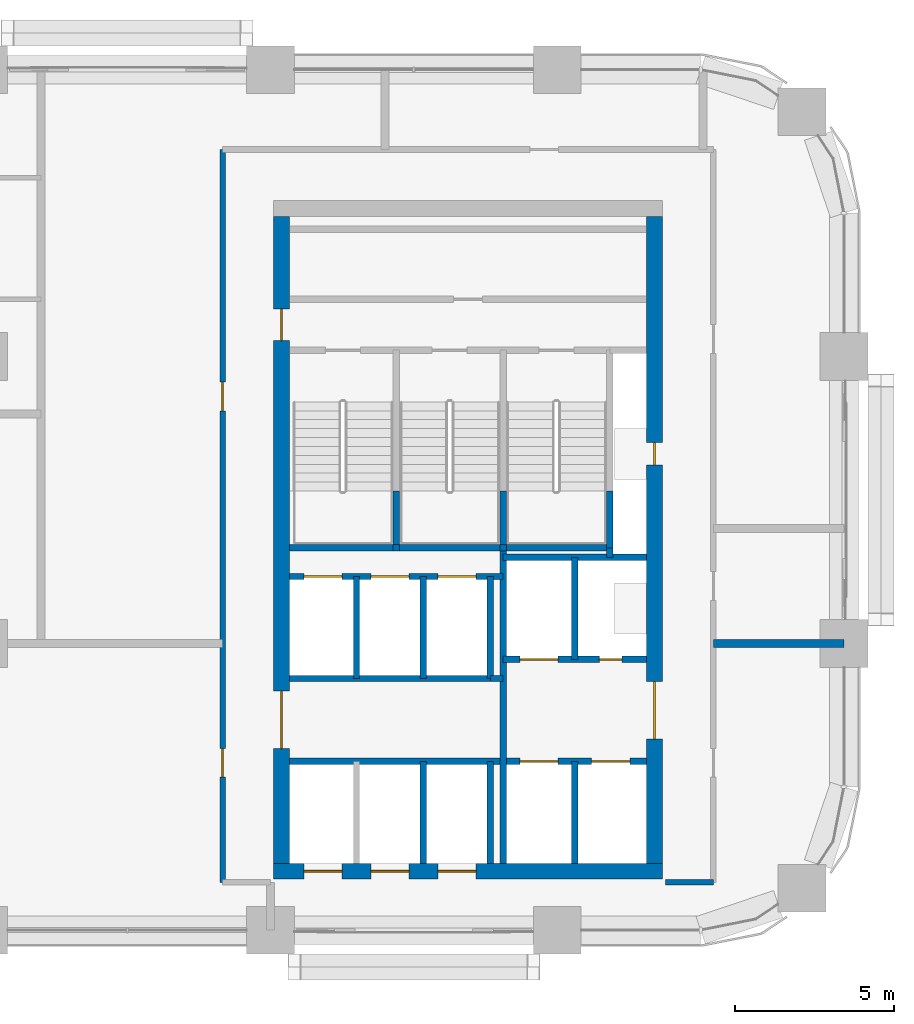
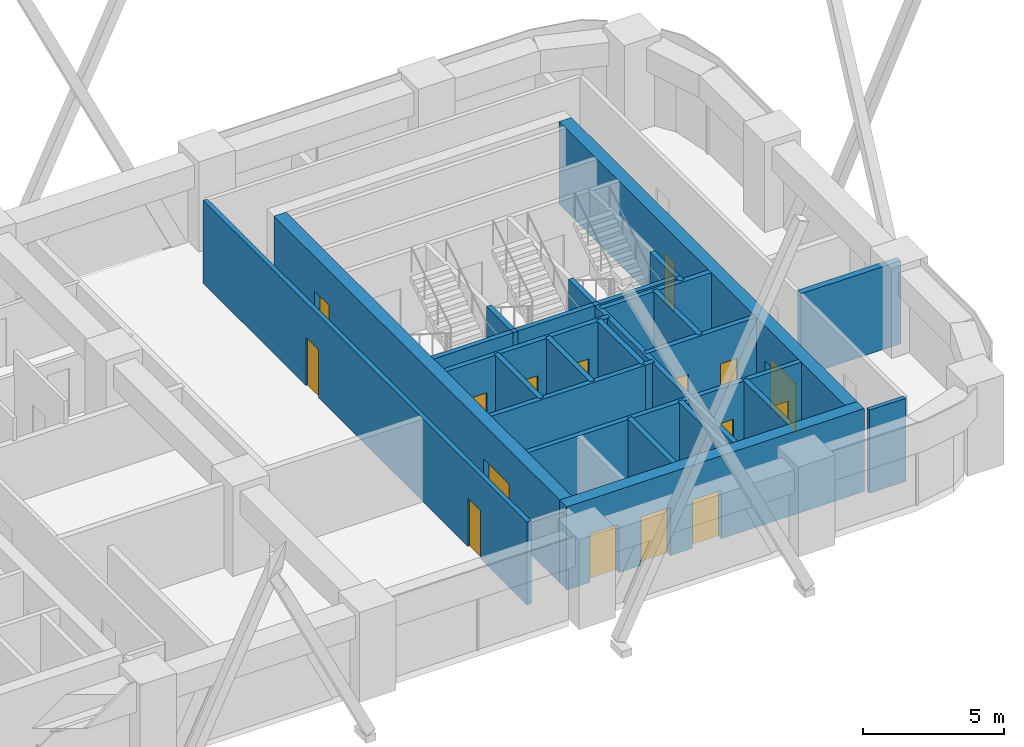
# One storey, part 10 of 13: 29 walls, 16 doors, 16 openings.
"""IFC4 building model written with IfcOpenShell, lengths in metres."""

from ifc_helpers import new_model, si_unit, direction, frame, frame_2d, origin, place, context, subcontext, project, spatial, rectangle, extrude, material, layer, layer_set, type_object, element, fill, save


model = new_model("IFC4")

# Units and contexts
model_context = context("Model", 3, precision=1e-05, world=origin(), true_north=direction((0.0, 1.0)))
body_context = subcontext(model_context, "Body", "Model", "MODEL_VIEW")
ifc_project = project(units=[si_unit("LENGTHUNIT", "METRE"), si_unit("AREAUNIT", "SQUARE_METRE"), si_unit("VOLUMEUNIT", "CUBIC_METRE"), si_unit("PLANEANGLEUNIT", "RADIAN"), si_unit("MASSUNIT", "GRAM", prefix="KILO")], contexts=[model_context])

# Site, building, storey
site_placement = place(None, origin())
site = spatial("IfcSite", under=ifc_project, at=site_placement, CompositionType="ELEMENT")
building_placement = place(site_placement, origin())
building = spatial("IfcBuilding", under=site, at=building_placement, Name="Tessera Arch", CompositionType="ELEMENT")
storey_placement = place(building_placement, frame((0.0, 0.0, 166.10009765625)))
storey = spatial("IfcBuildingStorey", under=building, at=storey_placement, Name="L39", CompositionType="ELEMENT", Elevation=166.10009765625)

# Wall
ifc_material_1 = material(Name="Gypsum board on steel stud", Category="steel")
ifc_layer_1 = layer(ifc_material_1, 0.125)
ifc_layer_set_1 = layer_set([ifc_layer_1], Name="Core partition 125 EI 60")
wall_type_1 = type_object("IfcWallType", Name="Core partition 125 EI 60", PredefinedType="PARTITIONING", material=ifc_layer_set_1)
wall_1_placement = place(storey_placement, frame((42.89990234375, 34.89990234375, 0.0), z_axis=(0.0, 0.0, 1.0), x_axis=(1.0, 0.0, 0.0)))
element("IfcWall", 1, at=wall_1_placement, inside=storey, type_object=wall_type_1, Name="L39 C1 partition wall 18", PredefinedType="PARTITIONING", context=body_context, shape_type="SweptSolid", body=[
    extrude(rectangle(XDim=0.400146484375, YDim=0.199951171875, at=frame_2d((0.2001953125, 0.0))), origin(), (0.0, 0.0, 1.0), 3.599853515625),
])

# Wall, openings, doors
ifc_material_2 = material(Name="Concrete C60/75", Category="concrete")
ifc_layer_2 = layer(ifc_material_2, 0.5)
ifc_layer_set_2 = layer_set([ifc_layer_2], Name="Core shell wall 500 C60-75")
wall_type_2 = type_object("IfcWallType", Name="Core shell wall 500 C60-75", PredefinedType="SHEAR", material=ifc_layer_set_2)
wall_2_placement = place(storey_placement, frame((36.10009765625, 28.85009765625, 0.0), z_axis=(0.0, 0.0, 1.0), x_axis=(1.0, 0.0, 0.0)))
wall_2 = element("IfcWall", 2, at=wall_2_placement, inside=storey, type_object=wall_type_2, Name="L39 C1 core wall S", PredefinedType="SHEAR", context=body_context, shape_type="SweptSolid", body=[
    extrude(rectangle(XDim=12.199951171875, YDim=0.5, at=frame_2d((6.10009765625, 0.0))), origin(), (0.0, 0.0, 1.0), 3.599853515625),
])
opening_1_placement = place(wall_2_placement, frame((0.949951171875, 0.0, 0.0)))
opening_1 = element("IfcOpeningElement", 3, at=opening_1_placement, cuts=wall_2, Name="Opening L39-C01", PredefinedType="OPENING", context=body_context, shape_type="SweptSolid", body=[
    extrude(rectangle(XDim=1.199951171875, YDim=2.10009765625, at=frame_2d((0.60009765625, 1.050048828125))), frame((0.0, 0.260009765625, 0.0), z_axis=(0.0, -1.0, 0.0), x_axis=(1.0, 0.0, 0.0)), (0.0, 0.0, 1.0), 0.52001953125),
])
opening_2_placement = place(wall_2_placement, frame((3.050048828125, 0.0, 0.0)))
opening_2 = element("IfcOpeningElement", 4, at=opening_2_placement, cuts=wall_2, Name="Opening L39-C03", PredefinedType="OPENING", context=body_context, shape_type="SweptSolid", body=[
    extrude(rectangle(XDim=1.199951171875, YDim=2.10009765625, at=frame_2d((0.60009765625, 1.050048828125))), frame((0.0, 0.260009765625, 0.0), z_axis=(0.0, -1.0, 0.0), x_axis=(1.0, 0.0, 0.0)), (0.0, 0.0, 1.0), 0.52001953125),
])
opening_3_placement = place(wall_2_placement, frame((5.14990234375, 0.0, 0.0)))
opening_3 = element("IfcOpeningElement", 5, at=opening_3_placement, cuts=wall_2, Name="Opening L39-C05", PredefinedType="OPENING", context=body_context, shape_type="SweptSolid", body=[
    extrude(rectangle(XDim=1.199951171875, YDim=2.10009765625, at=frame_2d((0.60009765625, 1.050048828125))), frame((0.0, 0.260009765625, 0.0), z_axis=(0.0, -1.0, 0.0), x_axis=(1.0, 0.0, 0.0)), (0.0, 0.0, 1.0), 0.52001953125),
])
ifc_material_3 = material(Name="Stainless steel AISI 304", Category="steel")
door_type_1 = type_object("IfcDoorType", Name="Sliding landing door 1200 x 2100", OperationType="SLIDING_TO_LEFT", PredefinedType="DOOR", material=ifc_material_3)
door_1_placement = place(opening_1_placement, origin())
door_1 = element("IfcDoor", 6, at=door_1_placement, inside=storey, type_object=door_type_1, Name="L39 HR1 lift landing door C01 type LD", OperationType="SLIDING_TO_LEFT", OverallHeight=2.10009765625, OverallWidth=1.199951171875, PredefinedType="DOOR", context=body_context, shape_type="SweptSolid", body=[
    extrude(rectangle(XDim=1.199951171875, YDim=2.10009765625, at=frame_2d((0.60009765625, 1.050048828125))), frame((0.0, 0.02490234375, 0.0), z_axis=(0.0, -1.0, 0.0), x_axis=(1.0, 0.0, 0.0)), (0.0, 0.0, 1.0), 0.050048828125),
])
fill(opening_1, door_1)
door_2_placement = place(opening_2_placement, origin())
door_2 = element("IfcDoor", 7, at=door_2_placement, inside=storey, type_object=door_type_1, Name="L39 HR2 lift landing door C03 type LD", OperationType="SLIDING_TO_LEFT", OverallHeight=2.10009765625, OverallWidth=1.199951171875, PredefinedType="DOOR", context=body_context, shape_type="SweptSolid", body=[
    extrude(rectangle(XDim=1.199951171875, YDim=2.10009765625, at=frame_2d((0.60009765625, 1.050048828125))), frame((0.0, 0.02490234375, 0.0), z_axis=(0.0, -1.0, 0.0), x_axis=(1.0, 0.0, 0.0)), (0.0, 0.0, 1.0), 0.050048828125),
])
fill(opening_2, door_2)
door_3_placement = place(opening_3_placement, origin())
door_3 = element("IfcDoor", 8, at=door_3_placement, inside=storey, type_object=door_type_1, Name="L39 HR3 lift landing door C05 type LD", OperationType="SLIDING_TO_LEFT", OverallHeight=2.10009765625, OverallWidth=1.199951171875, PredefinedType="DOOR", context=body_context, shape_type="SweptSolid", body=[
    extrude(rectangle(XDim=1.199951171875, YDim=2.10009765625, at=frame_2d((0.60009765625, 1.050048828125))), frame((0.0, 0.02490234375, 0.0), z_axis=(0.0, -1.0, 0.0), x_axis=(1.0, 0.0, 0.0)), (0.0, 0.0, 1.0), 0.050048828125),
])
fill(opening_3, door_3)

wall_3_placement = place(storey_placement, frame((36.35009765625, 29.10009765625, 0.0), z_axis=(0.0, 0.0, 1.0), x_axis=(0.0, 1.0, 0.0)))
wall_3 = element("IfcWall", 9, at=wall_3_placement, inside=storey, type_object=wall_type_2, Name="L39 C1 core wall W", PredefinedType="SHEAR", context=body_context, shape_type="SweptSolid", body=[
    extrude(rectangle(XDim=20.2998046875, YDim=0.5, at=frame_2d((10.14990234375, 0.0))), origin(), (0.0, 0.0, 1.0), 3.599853515625),
])
opening_4_placement = place(wall_3_placement, frame((3.60009765625, 0.0, 0.0)))
opening_4 = element("IfcOpeningElement", 10, at=opening_4_placement, cuts=wall_3, Name="Opening L39-C10", PredefinedType="OPENING", context=body_context, shape_type="SweptSolid", body=[
    extrude(rectangle(XDim=1.800048828125, YDim=2.10009765625, at=frame_2d((0.89990234375, 1.050048828125))), frame((0.0, 0.260009765625, 0.0), z_axis=(0.0, -1.0, 0.0), x_axis=(1.0, 0.0, 0.0)), (0.0, 0.0, 1.0), 0.52001953125),
])
opening_5_placement = place(wall_3_placement, frame((16.39990234375, 0.0, 0.0)))
opening_5 = element("IfcOpeningElement", 11, at=opening_5_placement, cuts=wall_3, Name="Opening L39-C17", PredefinedType="OPENING", context=body_context, shape_type="SweptSolid", body=[
    extrude(rectangle(XDim=1.0, YDim=2.10009765625, at=frame_2d((0.5, 1.050048828125))), frame((0.0, 0.260009765625, 0.0), z_axis=(0.0, -1.0, 0.0), x_axis=(1.0, 0.0, 0.0)), (0.0, 0.0, 1.0), 0.52001953125),
])
ifc_material_4 = material(Name="Steel door leaf", Category="steel")
door_type_2 = type_object("IfcDoorType", Name="Corridor door FD60 1000 x 2100", OperationType="SINGLE_SWING_LEFT", PredefinedType="DOOR", material=ifc_material_4)
door_4_placement = place(opening_5_placement, origin())
door_4 = element("IfcDoor", 12, at=door_4_placement, inside=storey, type_object=door_type_2, Name="L39 C1 door 17 C17 type D12", OperationType="SINGLE_SWING_RIGHT", OverallHeight=2.10009765625, OverallWidth=1.0, PredefinedType="DOOR", context=body_context, shape_type="SweptSolid", body=[
    extrude(rectangle(XDim=1.0, YDim=2.10009765625, at=frame_2d((0.5, 1.050048828125))), frame((0.0, 0.02490234375, 0.0), z_axis=(0.0, -1.0, 0.0), x_axis=(1.0, 0.0, 0.0)), (0.0, 0.0, 1.0), 0.050048828125),
])
fill(opening_5, door_4)
ifc_material_5 = material(Name="Glazed steel door leaf", Category="steel")
door_type_3 = type_object("IfcDoorType", Name="Lobby double door FD30S 1800 x 2100", OperationType="DOUBLE_DOOR_SINGLE_SWING", PredefinedType="DOOR", material=ifc_material_5)
door_5_placement = place(opening_4_placement, origin())
door_5 = element("IfcDoor", 13, at=door_5_placement, inside=storey, type_object=door_type_3, Name="L39 C1 door 10 C10 type D06", OperationType="DOUBLE_DOOR_SINGLE_SWING", OverallHeight=2.10009765625, OverallWidth=1.800048828125, PredefinedType="DOOR", context=body_context, shape_type="SweptSolid", body=[
    extrude(rectangle(XDim=1.800048828125, YDim=2.10009765625, at=frame_2d((0.89990234375, 1.050048828125))), frame((0.0, 0.02490234375, 0.0), z_axis=(0.0, -1.0, 0.0), x_axis=(1.0, 0.0, 0.0)), (0.0, 0.0, 1.0), 0.050048828125),
])
fill(opening_4, door_5)

wall_4_placement = place(storey_placement, frame((48.050048828125, 29.10009765625, 0.0), z_axis=(0.0, 0.0, 1.0), x_axis=(0.0, 1.0, 0.0)))
wall_4 = element("IfcWall", 14, at=wall_4_placement, inside=storey, type_object=wall_type_2, Name="L39 C1 core wall E", PredefinedType="SHEAR", context=body_context, shape_type="SweptSolid", body=[
    extrude(rectangle(XDim=20.2998046875, YDim=0.5, at=frame_2d((10.14990234375, 0.0))), origin(), (0.0, 0.0, 1.0), 3.599853515625),
])
opening_6_placement = place(wall_4_placement, frame((12.5, 0.0, 0.0)))
opening_6 = element("IfcOpeningElement", 15, at=opening_6_placement, cuts=wall_4, Name="Opening L39-C14", PredefinedType="OPENING", context=body_context, shape_type="SweptSolid", body=[
    extrude(rectangle(XDim=0.699951171875, YDim=2.10009765625, at=frame_2d((0.35009765625, 1.050048828125))), frame((0.0, 0.260009765625, 0.0), z_axis=(0.0, -1.0, 0.0), x_axis=(1.0, 0.0, 0.0)), (0.0, 0.0, 1.0), 0.52001953125),
])
opening_7_placement = place(wall_4_placement, frame((3.89990234375, 0.0, 0.0)))
opening_7 = element("IfcOpeningElement", 16, at=opening_7_placement, cuts=wall_4, Name="Opening L39-C15", PredefinedType="OPENING", context=body_context, shape_type="SweptSolid", body=[
    extrude(rectangle(XDim=1.800048828125, YDim=2.10009765625, at=frame_2d((0.89990234375, 1.050048828125))), frame((0.0, 0.260009765625, 0.0), z_axis=(0.0, -1.0, 0.0), x_axis=(1.0, 0.0, 0.0)), (0.0, 0.0, 1.0), 0.52001953125),
])
ifc_material_6 = material(Name="Glazed steel door leaf", Category="steel")
door_type_4 = type_object("IfcDoorType", Name="Lobby double door FD60 1800 x 2100", OperationType="DOUBLE_DOOR_SINGLE_SWING", PredefinedType="DOOR", material=ifc_material_6)
door_6_placement = place(opening_7_placement, origin())
door_6 = element("IfcDoor", 17, at=door_6_placement, inside=storey, type_object=door_type_4, Name="L39 C1 door 15 C15 type D19", OperationType="DOUBLE_DOOR_SINGLE_SWING", OverallHeight=2.10009765625, OverallWidth=1.800048828125, PredefinedType="DOOR", context=body_context, shape_type="SweptSolid", body=[
    extrude(rectangle(XDim=1.800048828125, YDim=2.10009765625, at=frame_2d((0.89990234375, 1.050048828125))), frame((0.0, 0.02490234375, 0.0), z_axis=(0.0, -1.0, 0.0), x_axis=(1.0, 0.0, 0.0)), (0.0, 0.0, 1.0), 0.050048828125),
])
fill(opening_7, door_6)
ifc_material_7 = material(Name="Steel door leaf", Category="steel")
door_type_5 = type_object("IfcDoorType", Name="Service shaft door FD60 700 x 2100", OperationType="SINGLE_SWING_LEFT", PredefinedType="DOOR", material=ifc_material_7)
door_7_placement = place(opening_6_placement, origin())
door_7 = element("IfcDoor", 18, at=door_7_placement, inside=storey, type_object=door_type_5, Name="L39 C1 door 14 C14 type D07", OperationType="SINGLE_SWING_RIGHT", OverallHeight=2.10009765625, OverallWidth=0.699951171875, PredefinedType="DOOR", context=body_context, shape_type="SweptSolid", body=[
    extrude(rectangle(XDim=0.699951171875, YDim=2.10009765625, at=frame_2d((0.35009765625, 1.050048828125))), frame((0.0, 0.02490234375, 0.0), z_axis=(0.0, -1.0, 0.0), x_axis=(1.0, 0.0, 0.0)), (0.0, 0.0, 1.0), 0.050048828125),
])
fill(opening_6, door_7)

# Wall
ifc_material_8 = material(Name="Gypsum board on deep steel stud with mineral wool", Category="steel")
ifc_layer_3 = layer(ifc_material_8, 0.175048828125)
ifc_layer_set_3 = layer_set([ifc_layer_3], Name="Corridor wall 175 EI 60")
wall_type_3 = type_object("IfcWallType", Name="Corridor wall 175 EI 60", PredefinedType="PARTITIONING", material=ifc_layer_set_3)
wall_5_placement = place(storey_placement, frame((48.39990234375, 28.5, 0.0), z_axis=(0.0, 0.0, 1.0), x_axis=(1.0, 0.0, 0.0)))
element("IfcWall", 19, at=wall_5_placement, inside=storey, type_object=wall_type_3, Name="L39 partition 4", PredefinedType="PARTITIONING", context=body_context, shape_type="SweptSolid", body=[
    extrude(rectangle(XDim=1.5, YDim=0.175048828125, at=frame_2d((0.75, 0.0))), origin(), (0.0, 0.0, 1.0), 3.599853515625),
])

# Wall, openings, doors
wall_6_placement = place(storey_placement, frame((34.5, 28.5, 0.0), z_axis=(0.0, 0.0, 1.0), x_axis=(0.0, 1.0, 0.0)))
wall_6 = element("IfcWall", 20, at=wall_6_placement, inside=storey, type_object=wall_type_3, Name="L39 partition 9", PredefinedType="PARTITIONING", context=body_context, shape_type="SweptSolid", body=[
    extrude(rectangle(XDim=23.0, YDim=0.175048828125, at=frame_2d((11.5, 0.0))), origin(), (0.0, 0.0, 1.0), 3.599853515625),
])
opening_8_placement = place(wall_6_placement, frame((3.300048828125, 0.0, 0.0)))
opening_8 = element("IfcOpeningElement", 21, at=opening_8_placement, cuts=wall_6, Name="Opening L39-D004", PredefinedType="OPENING", context=body_context, shape_type="SweptSolid", body=[
    extrude(rectangle(XDim=0.89990234375, YDim=2.10009765625, at=frame_2d((0.449951171875, 1.050048828125))), frame((0.0, 0.097412109375, 0.0), z_axis=(0.0, -1.0, 0.0), x_axis=(1.0, 0.0, 0.0)), (0.0, 0.0, 1.0), 0.195068359375),
])
opening_9_placement = place(wall_6_placement, frame((14.800048828125, 0.0, 0.0)))
opening_9 = element("IfcOpeningElement", 22, at=opening_9_placement, cuts=wall_6, Name="Opening L39-D008", PredefinedType="OPENING", context=body_context, shape_type="SweptSolid", body=[
    extrude(rectangle(XDim=0.89990234375, YDim=2.10009765625, at=frame_2d((0.449951171875, 1.050048828125))), frame((0.0, 0.097412109375, 0.0), z_axis=(0.0, -1.0, 0.0), x_axis=(1.0, 0.0, 0.0)), (0.0, 0.0, 1.0), 0.195068359375),
])
ifc_material_9 = material(Name="Timber door leaf", Category="wood")
door_type_6 = type_object("IfcDoorType", Name="Room door 900 x 2100", OperationType="SINGLE_SWING_LEFT", PredefinedType="DOOR", material=ifc_material_9)
door_8_placement = place(opening_8_placement, origin())
door_8 = element("IfcDoor", 23, at=door_8_placement, inside=storey, type_object=door_type_6, Name="L39 door D004 type D01", OperationType="SINGLE_SWING_RIGHT", OverallHeight=2.10009765625, OverallWidth=0.89990234375, PredefinedType="DOOR", context=body_context, shape_type="SweptSolid", body=[
    extrude(rectangle(XDim=0.89990234375, YDim=2.10009765625, at=frame_2d((0.449951171875, 1.050048828125))), frame((0.0, 0.02490234375, 0.0), z_axis=(0.0, -1.0, 0.0), x_axis=(1.0, 0.0, 0.0)), (0.0, 0.0, 1.0), 0.050048828125),
])
fill(opening_8, door_8)
door_9_placement = place(opening_9_placement, origin())
door_9 = element("IfcDoor", 24, at=door_9_placement, inside=storey, type_object=door_type_6, Name="L39 door D008 type D01", OperationType="SINGLE_SWING_RIGHT", OverallHeight=2.10009765625, OverallWidth=0.89990234375, PredefinedType="DOOR", context=body_context, shape_type="SweptSolid", body=[
    extrude(rectangle(XDim=0.89990234375, YDim=2.10009765625, at=frame_2d((0.449951171875, 1.050048828125))), frame((0.0, 0.02490234375, 0.0), z_axis=(0.0, -1.0, 0.0), x_axis=(1.0, 0.0, 0.0)), (0.0, 0.0, 1.0), 0.050048828125),
])
fill(opening_9, door_9)

# Walls
ifc_material_10 = material(Name="Double gypsum board on twin steel stud with acoustic mineral wool", Category="steel")
ifc_layer_4 = layer(ifc_material_10, 0.25)
ifc_layer_set_4 = layer_set([ifc_layer_4], Name="Party wall 250 EI 60")
wall_type_4 = type_object("IfcWallType", Name="Party wall 250 EI 60", PredefinedType="PARTITIONING", material=ifc_layer_set_4)
wall_7_placement = place(storey_placement, frame((49.89990234375, 36.0, 0.0), z_axis=(0.0, 0.0, 1.0), x_axis=(1.0, 0.0, 0.0)))
element("IfcWall", 25, at=wall_7_placement, inside=storey, type_object=wall_type_4, Name="L39 partition 17", PredefinedType="PARTITIONING", context=body_context, shape_type="SweptSolid", body=[
    extrude(rectangle(XDim=4.10009765625, YDim=0.25, at=frame_2d((2.050048828125, 0.0))), origin(), (0.0, 0.0, 1.0), 3.599853515625),
])
ifc_material_11 = material(Name="Concrete C40/50", Category="concrete")
ifc_layer_5 = layer(ifc_material_11, 0.199951171875)
ifc_layer_set_5 = layer_set([ifc_layer_5], Name="Shaft wall 200 EI 120")
wall_type_5 = type_object("IfcWallType", Name="Shaft wall 200 EI 120", PredefinedType="SOLIDWALL", material=ifc_layer_set_5)
wall_8_placement = place(storey_placement, frame((38.699951171875, 34.89990234375, 0.0), z_axis=(0.0, 0.0, 1.0), x_axis=(0.0, 1.0, 0.0)))
element("IfcWall", 26, at=wall_8_placement, inside=storey, type_object=wall_type_5, Name="L39 C1 shaft wall 2", PredefinedType="SOLIDWALL", context=body_context, shape_type="SweptSolid", body=[
    extrude(rectangle(XDim=3.2001953125, YDim=0.199951171875, at=frame_2d((1.60009765625, 0.0))), origin(), (0.0, 0.0, 1.0), 3.599853515625),
])
wall_9_placement = place(storey_placement, frame((40.800048828125, 29.10009765625, 0.0), z_axis=(0.0, 0.0, 1.0), x_axis=(0.0, 1.0, 0.0)))
element("IfcWall", 27, at=wall_9_placement, inside=storey, type_object=wall_type_5, Name="L39 C1 shaft wall 5", PredefinedType="SOLIDWALL", context=body_context, shape_type="SweptSolid", body=[
    extrude(rectangle(XDim=3.199951171875, YDim=0.199951171875, at=frame_2d((1.60009765625, 0.0))), origin(), (0.0, 0.0, 1.0), 3.599853515625),
])
wall_10_placement = place(storey_placement, frame((40.800048828125, 34.89990234375, 0.0), z_axis=(0.0, 0.0, 1.0), x_axis=(0.0, 1.0, 0.0)))
element("IfcWall", 28, at=wall_10_placement, inside=storey, type_object=wall_type_5, Name="L39 C1 shaft wall 6", PredefinedType="SOLIDWALL", context=body_context, shape_type="SweptSolid", body=[
    extrude(rectangle(XDim=3.2001953125, YDim=0.199951171875, at=frame_2d((1.60009765625, 0.0))), origin(), (0.0, 0.0, 1.0), 3.599853515625),
])
wall_11_placement = place(storey_placement, frame((42.89990234375, 29.10009765625, 0.0), z_axis=(0.0, 0.0, 1.0), x_axis=(0.0, 1.0, 0.0)))
element("IfcWall", 29, at=wall_11_placement, inside=storey, type_object=wall_type_5, Name="L39 C1 shaft wall 7", PredefinedType="SOLIDWALL", context=body_context, shape_type="SweptSolid", body=[
    extrude(rectangle(XDim=3.199951171875, YDim=0.199951171875, at=frame_2d((1.60009765625, 0.0))), origin(), (0.0, 0.0, 1.0), 3.599853515625),
])
wall_12_placement = place(storey_placement, frame((42.89990234375, 34.89990234375, 0.0), z_axis=(0.0, 0.0, 1.0), x_axis=(0.0, 1.0, 0.0)))
element("IfcWall", 30, at=wall_12_placement, inside=storey, type_object=wall_type_5, Name="L39 C1 shaft wall 8", PredefinedType="SOLIDWALL", context=body_context, shape_type="SweptSolid", body=[
    extrude(rectangle(XDim=3.2001953125, YDim=0.199951171875, at=frame_2d((1.60009765625, 0.0))), origin(), (0.0, 0.0, 1.0), 3.599853515625),
])
wall_13_placement = place(storey_placement, frame((43.300048828125, 29.10009765625, 0.0), z_axis=(0.0, 0.0, 1.0), x_axis=(0.0, 1.0, 0.0)))
element("IfcWall", 31, at=wall_13_placement, inside=storey, type_object=wall_type_5, Name="L39 C1 shaft wall 9", PredefinedType="SOLIDWALL", context=body_context, shape_type="SweptSolid", body=[
    extrude(rectangle(XDim=9.89990234375, YDim=0.199951171875, at=frame_2d((4.949951171875, 0.0))), origin(), (0.0, 0.0, 1.0), 3.599853515625),
])
for number, where, z_axis, x_axis, name in (
    (32, (45.550048828125, 29.10009765625, 0.0), (0.0, 0.0, 1.0), (0.0, 1.0, 0.0), "L39 C1 shaft wall 12"),
    (33, (45.550048828125, 35.5, 0.0), (0.0, 0.0, 1.0), (0.0, 1.0, 0.0), "L39 C1 shaft wall 13"),
):
    element("IfcWall", number, at=place(storey_placement, frame(where, z_axis=z_axis, x_axis=x_axis)), inside=storey, type_object=wall_type_5, Name=name, PredefinedType="SOLIDWALL", context=body_context, shape_type="SweptSolid", body=[
        extrude(rectangle(XDim=3.199951171875, YDim=0.199951171875, at=frame_2d((1.60009765625, 0.0))), origin(), (0.0, 0.0, 1.0), 3.599853515625),
    ])
wall_14_placement = place(storey_placement, frame((46.64990234375, 38.699951171875, 0.0), z_axis=(0.0, 0.0, 1.0), x_axis=(0.0, 1.0, 0.0)))
element("IfcWall", 34, at=wall_14_placement, inside=storey, type_object=wall_type_5, Name="L39 C1 shaft wall 14", PredefinedType="SOLIDWALL", context=body_context, shape_type="SweptSolid", body=[
    extrude(rectangle(XDim=0.300048828125, YDim=0.199951171875, at=frame_2d((0.14990234375, 0.0))), origin(), (0.0, 0.0, 1.0), 3.599853515625),
])

# Wall, openings, doors
wall_15_placement = place(storey_placement, frame((36.60009765625, 32.300048828125, 0.0), z_axis=(0.0, 0.0, 1.0), x_axis=(1.0, 0.0, 0.0)))
wall_15 = element("IfcWall", 35, at=wall_15_placement, inside=storey, type_object=wall_type_5, Name="L39 C1 shaft wall 17", PredefinedType="SOLIDWALL", context=body_context, shape_type="SweptSolid", body=[
    extrude(rectangle(XDim=11.199951171875, YDim=0.199951171875, at=frame_2d((5.60009765625, 0.0))), origin(), (0.0, 0.0, 1.0), 3.599853515625),
])
opening_10_placement = place(wall_15_placement, frame((7.22509765625, 0.0, 0.0)))
opening_10 = element("IfcOpeningElement", 36, at=opening_10_placement, cuts=wall_15, Name="Opening L39-C07", PredefinedType="OPENING", context=body_context, shape_type="SweptSolid", body=[
    extrude(rectangle(XDim=1.199951171875, YDim=2.10009765625, at=frame_2d((0.60009765625, 1.050048828125))), frame((0.0, 0.10986328125, 0.0), z_axis=(0.0, -1.0, 0.0), x_axis=(1.0, 0.0, 0.0)), (0.0, 0.0, 1.0), 0.219970703125),
])
opening_11_placement = place(wall_15_placement, frame((9.47509765625, 0.0, 0.0)))
opening_11 = element("IfcOpeningElement", 37, at=opening_11_placement, cuts=wall_15, Name="Opening L39-C08", PredefinedType="OPENING", context=body_context, shape_type="SweptSolid", body=[
    extrude(rectangle(XDim=1.199951171875, YDim=2.10009765625, at=frame_2d((0.60009765625, 1.050048828125))), frame((0.0, 0.10986328125, 0.0), z_axis=(0.0, -1.0, 0.0), x_axis=(1.0, 0.0, 0.0)), (0.0, 0.0, 1.0), 0.219970703125),
])
door_10_placement = place(opening_10_placement, origin())
door_10 = element("IfcDoor", 38, at=door_10_placement, inside=storey, type_object=door_type_1, Name="L39 FF1 lift landing door C07 type LD", OperationType="SLIDING_TO_LEFT", OverallHeight=2.10009765625, OverallWidth=1.199951171875, PredefinedType="DOOR", context=body_context, shape_type="SweptSolid", body=[
    extrude(rectangle(XDim=1.199951171875, YDim=2.10009765625, at=frame_2d((0.60009765625, 1.050048828125))), frame((0.0, 0.02490234375, 0.0), z_axis=(0.0, -1.0, 0.0), x_axis=(1.0, 0.0, 0.0)), (0.0, 0.0, 1.0), 0.050048828125),
])
fill(opening_10, door_10)
door_11_placement = place(opening_11_placement, origin())
door_11 = element("IfcDoor", 39, at=door_11_placement, inside=storey, type_object=door_type_1, Name="L39 FF2 lift landing door C08 type LD", OperationType="SLIDING_TO_LEFT", OverallHeight=2.10009765625, OverallWidth=1.199951171875, PredefinedType="DOOR", context=body_context, shape_type="SweptSolid", body=[
    extrude(rectangle(XDim=1.199951171875, YDim=2.10009765625, at=frame_2d((0.60009765625, 1.050048828125))), frame((0.0, 0.02490234375, 0.0), z_axis=(0.0, -1.0, 0.0), x_axis=(1.0, 0.0, 0.0)), (0.0, 0.0, 1.0), 0.050048828125),
])
fill(opening_11, door_11)

# Wall
wall_16_placement = place(storey_placement, frame((36.60009765625, 34.89990234375, 0.0), z_axis=(0.0, 0.0, 1.0), x_axis=(1.0, 0.0, 0.0)))
element("IfcWall", 40, at=wall_16_placement, inside=storey, type_object=wall_type_5, Name="L39 C1 shaft wall 19", PredefinedType="SOLIDWALL", context=body_context, shape_type="SweptSolid", body=[
    extrude(rectangle(XDim=6.2998046875, YDim=0.199951171875, at=frame_2d((3.14990234375, 0.0))), origin(), (0.0, 0.0, 1.0), 3.599853515625),
])

# Wall, openings, doors
wall_17_placement = place(storey_placement, frame((43.300048828125, 35.5, 0.0), z_axis=(0.0, 0.0, 1.0), x_axis=(1.0, 0.0, 0.0)))
wall_17 = element("IfcWall", 41, at=wall_17_placement, inside=storey, type_object=wall_type_5, Name="L39 C1 shaft wall 20", PredefinedType="SOLIDWALL", context=body_context, shape_type="SweptSolid", body=[
    extrude(rectangle(XDim=4.5, YDim=0.199951171875, at=frame_2d((2.25, 0.0))), origin(), (0.0, 0.0, 1.0), 3.599853515625),
])
opening_12_placement = place(wall_17_placement, frame((0.52490234375, 0.0, 0.0)))
opening_12 = element("IfcOpeningElement", 42, at=opening_12_placement, cuts=wall_17, Name="Opening L39-C09", PredefinedType="OPENING", context=body_context, shape_type="SweptSolid", body=[
    extrude(rectangle(XDim=1.199951171875, YDim=2.10009765625, at=frame_2d((0.60009765625, 1.050048828125))), frame((0.0, 0.10986328125, 0.0), z_axis=(0.0, -1.0, 0.0), x_axis=(1.0, 0.0, 0.0)), (0.0, 0.0, 1.0), 0.219970703125),
])
opening_13_placement = place(wall_17_placement, frame((3.02490234375, 0.0, 0.0)))
opening_13 = element("IfcOpeningElement", 43, at=opening_13_placement, cuts=wall_17, Name="Opening L39-C16", PredefinedType="OPENING", context=body_context, shape_type="SweptSolid", body=[
    extrude(rectangle(XDim=0.699951171875, YDim=2.10009765625, at=frame_2d((0.35009765625, 1.050048828125))), frame((0.0, 0.10986328125, 0.0), z_axis=(0.0, -1.0, 0.0), x_axis=(1.0, 0.0, 0.0)), (0.0, 0.0, 1.0), 0.219970703125),
])
door_12_placement = place(opening_13_placement, origin())
door_12 = element("IfcDoor", 44, at=door_12_placement, inside=storey, type_object=door_type_5, Name="L39 C1 door 16 C16 type D07", OperationType="SINGLE_SWING_RIGHT", OverallHeight=2.10009765625, OverallWidth=0.699951171875, PredefinedType="DOOR", context=body_context, shape_type="SweptSolid", body=[
    extrude(rectangle(XDim=0.699951171875, YDim=2.10009765625, at=frame_2d((0.35009765625, 1.050048828125))), frame((0.0, 0.02490234375, 0.0), z_axis=(0.0, -1.0, 0.0), x_axis=(1.0, 0.0, 0.0)), (0.0, 0.0, 1.0), 0.050048828125),
])
fill(opening_13, door_12)
door_13_placement = place(opening_12_placement, origin())
door_13 = element("IfcDoor", 45, at=door_13_placement, inside=storey, type_object=door_type_1, Name="L39 SV2 lift landing door C09 type LD", OperationType="SLIDING_TO_LEFT", OverallHeight=2.10009765625, OverallWidth=1.199951171875, PredefinedType="DOOR", context=body_context, shape_type="SweptSolid", body=[
    extrude(rectangle(XDim=1.199951171875, YDim=2.10009765625, at=frame_2d((0.60009765625, 1.050048828125))), frame((0.0, 0.02490234375, 0.0), z_axis=(0.0, -1.0, 0.0), x_axis=(1.0, 0.0, 0.0)), (0.0, 0.0, 1.0), 0.050048828125),
])
fill(opening_12, door_13)

wall_18_placement = place(storey_placement, frame((36.60009765625, 38.10009765625, 0.0), z_axis=(0.0, 0.0, 1.0), x_axis=(1.0, 0.0, 0.0)))
wall_18 = element("IfcWall", 46, at=wall_18_placement, inside=storey, type_object=wall_type_5, Name="L39 C1 shaft wall 21", PredefinedType="SOLIDWALL", context=body_context, shape_type="SweptSolid", body=[
    extrude(rectangle(XDim=6.699951171875, YDim=0.199951171875, at=frame_2d((3.35009765625, 0.0))), origin(), (0.0, 0.0, 1.0), 3.599853515625),
])
opening_14_placement = place(wall_18_placement, frame((0.449951171875, 0.0, 0.0)))
opening_14 = element("IfcOpeningElement", 47, at=opening_14_placement, cuts=wall_18, Name="Opening L39-C02", PredefinedType="OPENING", context=body_context, shape_type="SweptSolid", body=[
    extrude(rectangle(XDim=1.199951171875, YDim=2.10009765625, at=frame_2d((0.60009765625, 1.050048828125))), frame((0.0, 0.10986328125, 0.0), z_axis=(0.0, -1.0, 0.0), x_axis=(1.0, 0.0, 0.0)), (0.0, 0.0, 1.0), 0.219970703125),
])
opening_15_placement = place(wall_18_placement, frame((2.550048828125, 0.0, 0.0)))
opening_15 = element("IfcOpeningElement", 48, at=opening_15_placement, cuts=wall_18, Name="Opening L39-C04", PredefinedType="OPENING", context=body_context, shape_type="SweptSolid", body=[
    extrude(rectangle(XDim=1.199951171875, YDim=2.10009765625, at=frame_2d((0.60009765625, 1.050048828125))), frame((0.0, 0.10986328125, 0.0), z_axis=(0.0, -1.0, 0.0), x_axis=(1.0, 0.0, 0.0)), (0.0, 0.0, 1.0), 0.219970703125),
])
opening_16_placement = place(wall_18_placement, frame((4.64990234375, 0.0, 0.0)))
opening_16 = element("IfcOpeningElement", 49, at=opening_16_placement, cuts=wall_18, Name="Opening L39-C06", PredefinedType="OPENING", context=body_context, shape_type="SweptSolid", body=[
    extrude(rectangle(XDim=1.199951171875, YDim=2.10009765625, at=frame_2d((0.60009765625, 1.050048828125))), frame((0.0, 0.10986328125, 0.0), z_axis=(0.0, -1.0, 0.0), x_axis=(1.0, 0.0, 0.0)), (0.0, 0.0, 1.0), 0.219970703125),
])
door_14_placement = place(opening_14_placement, origin())
door_14 = element("IfcDoor", 50, at=door_14_placement, inside=storey, type_object=door_type_1, Name="L39 HR4 lift landing door C02 type LD", OperationType="SLIDING_TO_LEFT", OverallHeight=2.10009765625, OverallWidth=1.199951171875, PredefinedType="DOOR", context=body_context, shape_type="SweptSolid", body=[
    extrude(rectangle(XDim=1.199951171875, YDim=2.10009765625, at=frame_2d((0.60009765625, 1.050048828125))), frame((0.0, 0.02490234375, 0.0), z_axis=(0.0, -1.0, 0.0), x_axis=(1.0, 0.0, 0.0)), (0.0, 0.0, 1.0), 0.050048828125),
])
fill(opening_14, door_14)
door_15_placement = place(opening_15_placement, origin())
door_15 = element("IfcDoor", 51, at=door_15_placement, inside=storey, type_object=door_type_1, Name="L39 HR5 lift landing door C04 type LD", OperationType="SLIDING_TO_LEFT", OverallHeight=2.10009765625, OverallWidth=1.199951171875, PredefinedType="DOOR", context=body_context, shape_type="SweptSolid", body=[
    extrude(rectangle(XDim=1.199951171875, YDim=2.10009765625, at=frame_2d((0.60009765625, 1.050048828125))), frame((0.0, 0.02490234375, 0.0), z_axis=(0.0, -1.0, 0.0), x_axis=(1.0, 0.0, 0.0)), (0.0, 0.0, 1.0), 0.050048828125),
])
fill(opening_15, door_15)
door_16_placement = place(opening_16_placement, origin())
door_16 = element("IfcDoor", 52, at=door_16_placement, inside=storey, type_object=door_type_1, Name="L39 HR6 lift landing door C06 type LD", OperationType="SLIDING_TO_LEFT", OverallHeight=2.10009765625, OverallWidth=1.199951171875, PredefinedType="DOOR", context=body_context, shape_type="SweptSolid", body=[
    extrude(rectangle(XDim=1.199951171875, YDim=2.10009765625, at=frame_2d((0.60009765625, 1.050048828125))), frame((0.0, 0.02490234375, 0.0), z_axis=(0.0, -1.0, 0.0), x_axis=(1.0, 0.0, 0.0)), (0.0, 0.0, 1.0), 0.050048828125),
])
fill(opening_16, door_16)

# Walls
wall_19_placement = place(storey_placement, frame((43.300048828125, 38.699951171875, 0.0), z_axis=(0.0, 0.0, 1.0), x_axis=(1.0, 0.0, 0.0)))
element("IfcWall", 53, at=wall_19_placement, inside=storey, type_object=wall_type_5, Name="L39 C1 shaft wall 22", PredefinedType="SOLIDWALL", context=body_context, shape_type="SweptSolid", body=[
    extrude(rectangle(XDim=4.5, YDim=0.199951171875, at=frame_2d((2.25, 0.0))), origin(), (0.0, 0.0, 1.0), 3.599853515625),
])
ifc_material_12 = material(Name="Concrete C40/50", Category="concrete")
ifc_layer_6 = layer(ifc_material_12, 0.199951171875)
ifc_layer_set_6 = layer_set([ifc_layer_6], Name="Stair well wall 200 REI 180")
wall_type_6 = type_object("IfcWallType", Name="Stair well wall 200 REI 180", PredefinedType="SOLIDWALL", material=ifc_layer_set_6)
for number, where, z_axis, x_axis, name in (
    (54, (39.949951171875, 39.0, 0.0), (0.0, 0.0, 1.0), (0.0, 1.0, 0.0), "L39 C1 shaft wall 3"),
    (55, (43.300048828125, 39.0, 0.0), (0.0, 0.0, 1.0), (0.0, 1.0, 0.0), "L39 C1 shaft wall 10"),
    (56, (46.64990234375, 39.0, 0.0), (0.0, 0.0, 1.0), (0.0, 1.0, 0.0), "L39 C1 shaft wall 15"),
):
    element("IfcWall", number, at=place(storey_placement, frame(where, z_axis=z_axis, x_axis=x_axis)), inside=storey, type_object=wall_type_6, Name=name, PredefinedType="SOLIDWALL", context=body_context, shape_type="SweptSolid", body=[
        extrude(rectangle(XDim=1.780029296875, YDim=0.199951171875, at=frame_2d((0.89013671875, 0.0))), origin(), (0.0, 0.0, 1.0), 3.599853515625),
    ])
wall_20_placement = place(storey_placement, frame((36.60009765625, 39.0, 0.0), z_axis=(0.0, 0.0, 1.0), x_axis=(1.0, 0.0, 0.0)))
element("IfcWall", 57, at=wall_20_placement, inside=storey, type_object=wall_type_6, Name="L39 C1 shaft wall 23", PredefinedType="SOLIDWALL", context=body_context, shape_type="SweptSolid", body=[
    extrude(rectangle(XDim=3.25, YDim=0.199951171875, at=frame_2d((1.625, 0.0))), origin(), (0.0, 0.0, 1.0), 3.599853515625),
])
wall_21_placement = place(storey_placement, frame((39.85009765625, 39.0, 0.0), z_axis=(0.0, 0.0, 1.0), x_axis=(1.0, 0.0, 0.0)))
element("IfcWall", 58, at=wall_21_placement, inside=storey, type_object=wall_type_6, Name="L39 C1 shaft wall 24", PredefinedType="SOLIDWALL", context=body_context, shape_type="SweptSolid", body=[
    extrude(rectangle(XDim=0.199951171875, YDim=0.199951171875, at=frame_2d((0.10009765625, 0.0))), origin(), (0.0, 0.0, 1.0), 3.599853515625),
])
wall_22_placement = place(storey_placement, frame((40.050048828125, 39.0, 0.0), z_axis=(0.0, 0.0, 1.0), x_axis=(1.0, 0.0, 0.0)))
element("IfcWall", 59, at=wall_22_placement, inside=storey, type_object=wall_type_6, Name="L39 C1 shaft wall 25", PredefinedType="SOLIDWALL", context=body_context, shape_type="SweptSolid", body=[
    extrude(rectangle(XDim=3.14990234375, YDim=0.199951171875, at=frame_2d((1.574951171875, 0.0))), origin(), (0.0, 0.0, 1.0), 3.599853515625),
])
wall_23_placement = place(storey_placement, frame((43.199951171875, 39.0, 0.0), z_axis=(0.0, 0.0, 1.0), x_axis=(1.0, 0.0, 0.0)))
element("IfcWall", 60, at=wall_23_placement, inside=storey, type_object=wall_type_6, Name="L39 C1 shaft wall 26", PredefinedType="SOLIDWALL", context=body_context, shape_type="SweptSolid", body=[
    extrude(rectangle(XDim=0.199951171875, YDim=0.199951171875, at=frame_2d((0.10009765625, 0.0))), origin(), (0.0, 0.0, 1.0), 3.599853515625),
])
wall_24_placement = place(storey_placement, frame((43.39990234375, 39.0, 0.0), z_axis=(0.0, 0.0, 1.0), x_axis=(1.0, 0.0, 0.0)))
element("IfcWall", 61, at=wall_24_placement, inside=storey, type_object=wall_type_6, Name="L39 C1 shaft wall 27", PredefinedType="SOLIDWALL", context=body_context, shape_type="SweptSolid", body=[
    extrude(rectangle(XDim=3.25, YDim=0.199951171875, at=frame_2d((1.625, 0.0))), origin(), (0.0, 0.0, 1.0), 3.599853515625),
])

save(model, "model.ifc")
